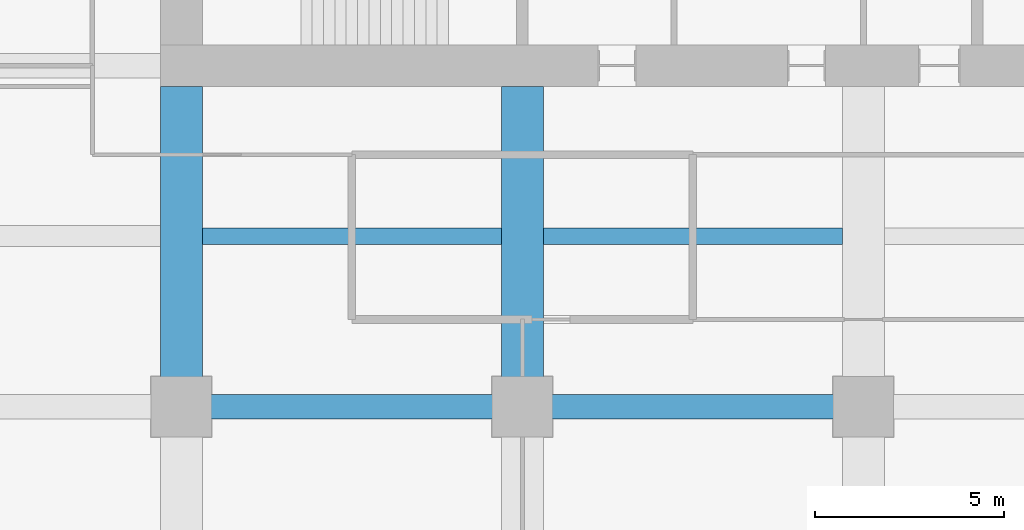
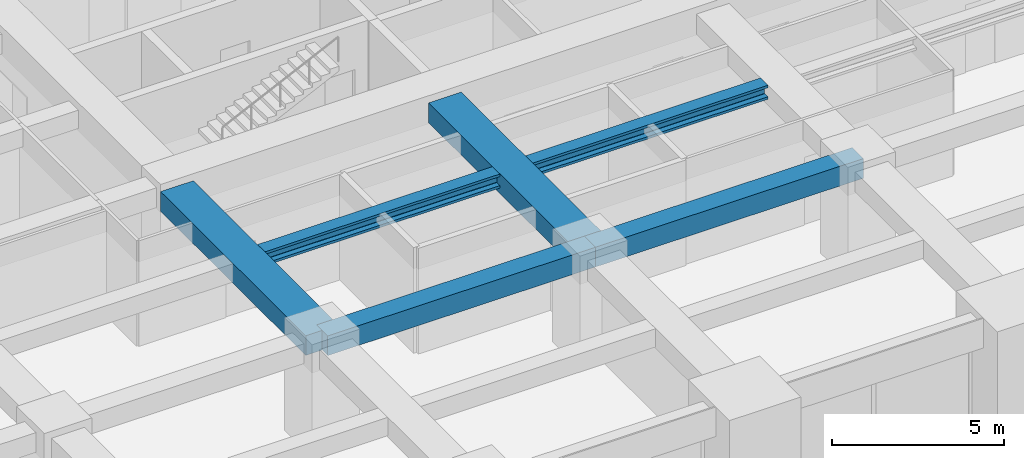
# One storey, part 8 of 33: 6 beams.
"""IFC4 building model written with IfcOpenShell, lengths in metres."""

from ifc_helpers import new_model, si_unit, direction, frame, origin, origin_2d, place, context, subcontext, project, spatial, rectangle, i_section, extrude, material, material_profile, profile_set, type_object, element, save


model = new_model("IFC4")

# Units and contexts
model_context = context("Model", 3, precision=1e-05, world=origin(), true_north=direction((0.0, 1.0)))
body_context = subcontext(model_context, "Body", "Model", "MODEL_VIEW")
ifc_project = project(units=[si_unit("LENGTHUNIT", "METRE"), si_unit("AREAUNIT", "SQUARE_METRE"), si_unit("VOLUMEUNIT", "CUBIC_METRE"), si_unit("PLANEANGLEUNIT", "RADIAN"), si_unit("MASSUNIT", "GRAM", prefix="KILO")], contexts=[model_context])

# Site, building, storey
site_placement = place(None, origin())
site = spatial("IfcSite", under=ifc_project, at=site_placement, CompositionType="ELEMENT")
building_placement = place(site_placement, origin())
building = spatial("IfcBuilding", under=site, at=building_placement, Name="Zorevar Civic Tower", CompositionType="ELEMENT")
storey_placement = place(building_placement, frame((0.0, 0.0, 194.199951171875)))
storey = spatial("IfcBuildingStorey", under=building, at=storey_placement, Name="L47", CompositionType="ELEMENT", Elevation=194.199951171875)

# Beams
ifc_material_1 = material(Name="Concrete C50/60", Category="concrete")
ifc_material_profile_1 = material_profile(ifc_material_1, rectangle(XDim=1.10009765625, YDim=0.699951171875, at=origin_2d()), Name="RC 1100x700")
ifc_profile_set_1 = profile_set([ifc_material_profile_1], Name="Concrete C50/60")
beam_type_1 = type_object("IfcBeamType", Name="Beam RC 1100x700", PredefinedType="BEAM", material=ifc_profile_set_1)
for number, where, z_axis, x_axis, name in (
    (1, (18.0, 9.0, 3.400146484375), (0.0, 1.0, 0.0), (-1.0, 0.0, 0.0), "Girder L48"),
    (2, (27.0, 9.0, 3.400146484375), (0.0, 1.0, 0.0), (-1.0, 0.0, 0.0), "Girder L48"),
):
    element("IfcBeam", number, at=place(storey_placement, frame(where, z_axis=z_axis, x_axis=x_axis)), inside=storey, type_object=beam_type_1, Name=name, PredefinedType="BEAM", context=body_context, shape_type="SweptSolid", body=[
        extrude(rectangle(XDim=1.10009765625, YDim=0.699951171875, at=origin_2d()), origin(), (0.0, 0.0, 1.0), 8.449951171875),
    ])
ifc_material_2 = material(Name="Concrete C50/60", Category="concrete")
ifc_material_profile_2 = material_profile(ifc_material_2, rectangle(XDim=0.64990234375, YDim=0.699951171875, at=origin_2d()), Name="RC 650x700")
ifc_profile_set_2 = profile_set([ifc_material_profile_2], Name="Concrete C50/60")
beam_type_2 = type_object("IfcBeamType", Name="Beam RC 650x700", PredefinedType="BEAM", material=ifc_profile_set_2)
for number, where, z_axis, x_axis, name in (
    (3, (18.0, 9.0, 3.400146484375), (1.0, 0.0, 0.0), (0.0, 1.0, 0.0), "Girder L48"),
    (4, (27.0, 9.0, 3.400146484375), (1.0, 0.0, 0.0), (0.0, 1.0, 0.0), "Girder L48"),
):
    element("IfcBeam", number, at=place(storey_placement, frame(where, z_axis=z_axis, x_axis=x_axis)), inside=storey, type_object=beam_type_2, Name=name, PredefinedType="BEAM", context=body_context, shape_type="SweptSolid", body=[
        extrude(rectangle(XDim=0.64990234375, YDim=0.699951171875, at=origin_2d()), origin(), (0.0, 0.0, 1.0), 9.0),
    ])
ifc_material_3 = material(Name="Steel S460M (HISTAR 460)", Category="steel")
ifc_material_profile_3 = material_profile(ifc_material_3, i_section(OverallWidth=0.431884765625, OverallDepth=0.498046875, WebThickness=0.0556640625, FlangeThickness=0.0888671875, FilletRadius=0.014892578125, at=origin_2d()), Name="HD 400x744")
ifc_profile_set_3 = profile_set([ifc_material_profile_3], Name="Steel S460M (HISTAR 460)")
beam_type_3 = type_object("IfcBeamType", Name="Core bay beam HD 400x744", PredefinedType="BEAM", material=ifc_profile_set_3)
for number, where, z_axis, x_axis, name in (
    (5, (18.550048828125, 13.5, 3.5009765625), (1.0, 0.0, 0.0), (0.0, 1.0, 0.0), "Secondary beam L48"),
    (6, (27.550048828125, 13.5, 3.5009765625), (1.0, 0.0, 0.0), (0.0, 1.0, 0.0), "Secondary beam L48"),
):
    element("IfcBeam", number, at=place(storey_placement, frame(where, z_axis=z_axis, x_axis=x_axis)), inside=storey, type_object=beam_type_3, Name=name, PredefinedType="BEAM", context=body_context, shape_type="SweptSolid", body=[
        extrude(i_section(OverallWidth=0.431884765625, OverallDepth=0.498046875, WebThickness=0.0556640625, FlangeThickness=0.0888671875, FilletRadius=0.014892578125, at=origin_2d()), origin(), (0.0, 0.0, 1.0), 7.89990234375),
    ])

save(model, "model.ifc")
